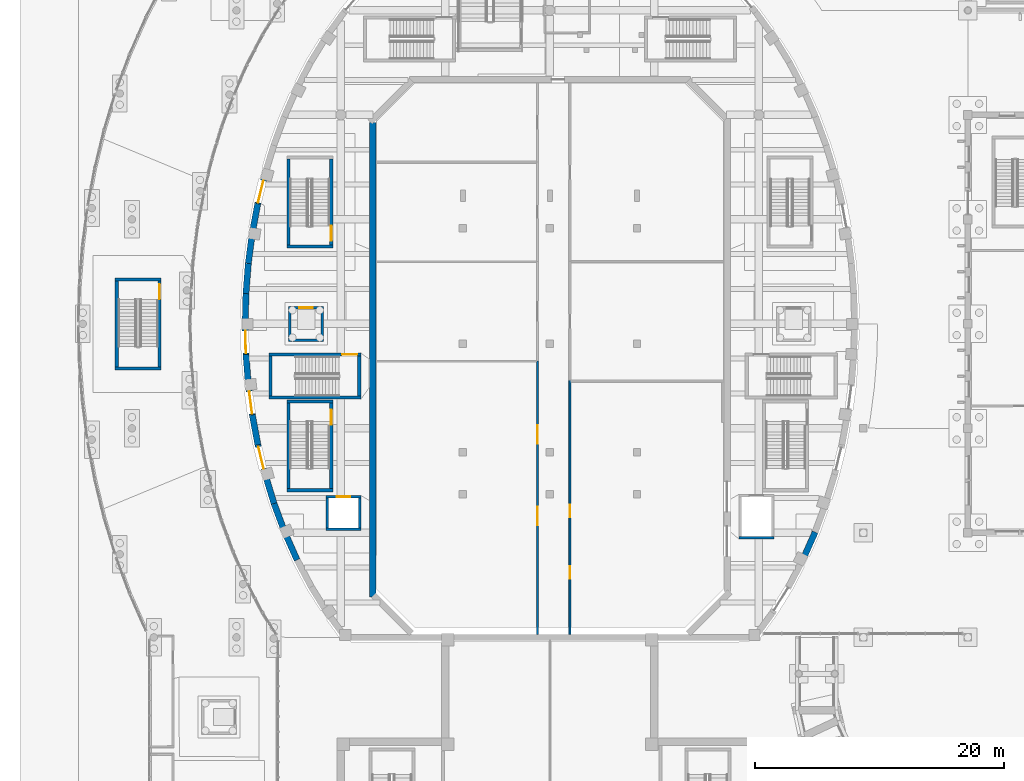
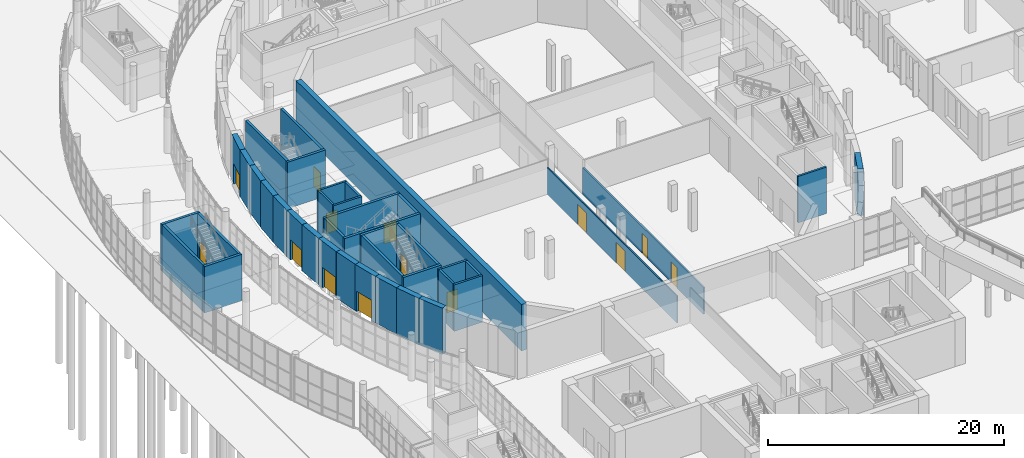
# One storey, part 62 of 110: 41 walls, 14 doors, 14 openings.
"""IFC4 building model written with IfcOpenShell, lengths in metres."""

import ifcopenshell
import ifcopenshell.guid

model = None  # the IFC model being written
_history = None  # IfcOwnerHistory: only IFC2X3 demands one
_inside = {}  # id of a spatial element -> (the spatial element, [elements in it])
_under = {}  # id of a project, library or spatial element -> (it, [spatial elements below it])
_declared = {}  # id of a project -> (the project, [libraries it declares])
_typed = {}  # id of a type object -> (the type object, [elements of that type])
_made_of = {}  # id of a material, layer set ... -> (it, [elements and type objects made of it])


def new_model(schema):
    """Start an empty IFC model of exactly this schema.

    Asked for "IFC4X3", IfcOpenShell would pick the latest addendum, in which some entities
    have other attributes; the version numbers below select the first issue.
    IFC2X3 requires an IfcOwnerHistory on every rooted entity: one is made here for all.
    """
    global model, _history
    if schema == "IFC4X3":
        model = ifcopenshell.file(schema_version=(4, 3, 0, 0))
    else:
        model = ifcopenshell.file(schema=schema)
    _inside.clear()
    _under.clear()
    _declared.clear()
    _typed.clear()
    _made_of.clear()
    _history = None
    if model.schema == "IFC2X3":
        org = make("IfcOrganization", Name="unknown")
        user = make(
            "IfcPersonAndOrganization",
            ThePerson=make("IfcPerson", FamilyName="unknown"),
            TheOrganization=org,
        )
        app = make(
            "IfcApplication",
            ApplicationDeveloper=org,
            Version="unknown",
            ApplicationFullName="unknown",
            ApplicationIdentifier="unknown",
        )
        _history = make(
            "IfcOwnerHistory",
            OwningUser=user,
            OwningApplication=app,
            ChangeAction="ADDED",
            CreationDate=0,
        )
    return model


def make(cls, **values):
    """One entity of the class cls with the attributes given. An attribute that is None is left unset."""
    return model.create_entity(
        cls, **{name: value for name, value in values.items() if value is not None}
    )


def rooted(cls, **values):
    """An entity with a GlobalId (a new one), such as an element, a storey or a relation."""
    return make(cls, GlobalId=ifcopenshell.guid.new(), OwnerHistory=_history, **values)


def si_unit(unit_type, name, prefix=None):
    """IfcSIUnit, for example si_unit("LENGTHUNIT", "METRE", prefix="MILLI")."""
    return make("IfcSIUnit", UnitType=unit_type, Prefix=prefix, Name=name)


def assignment(units):
    """IfcUnitAssignment: the units of a project."""
    return None if units is None else make("IfcUnitAssignment", Units=units)


def point(xyz):
    """IfcCartesianPoint."""
    return None if xyz is None else make("IfcCartesianPoint", Coordinates=xyz)


def direction(xyz):
    """IfcDirection."""
    return None if xyz is None else make("IfcDirection", DirectionRatios=xyz)


def frame(location, z_axis=None, x_axis=None):
    """IfcAxis2Placement3D, a coordinate frame: its origin and axes. An axis left out is left unset."""
    return make(
        "IfcAxis2Placement3D",
        Location=point(location),
        Axis=direction(z_axis),
        RefDirection=direction(x_axis),
    )


def frame_2d(location, x_axis=None):
    """IfcAxis2Placement2D, a coordinate frame in the plane: its origin and x axis."""
    return make(
        "IfcAxis2Placement2D", Location=point(location), RefDirection=direction(x_axis)
    )


def origin():
    """The frame at (0, 0, 0) with its axes left unset."""
    return frame((0.0, 0.0, 0.0))


def place(relative_to, where):
    """IfcLocalPlacement: puts the frame where relative to a parent placement (None: the world)."""
    return make(
        "IfcLocalPlacement", PlacementRelTo=relative_to, RelativePlacement=where
    )


def context(
    kind, dimensions, precision=None, world=None, true_north=None, identifier=None
):
    """IfcGeometricRepresentationContext, for example the 3D "Model" context."""
    return make(
        "IfcGeometricRepresentationContext",
        ContextIdentifier=identifier,
        ContextType=kind,
        CoordinateSpaceDimension=dimensions,
        Precision=precision,
        WorldCoordinateSystem=world,
        TrueNorth=true_north,
    )


def subcontext(parent, identifier, kind, view, scale=None):
    """IfcGeometricRepresentationSubContext, for example "Body" below "Model"."""
    return make(
        "IfcGeometricRepresentationSubContext",
        ContextIdentifier=identifier,
        ContextType=kind,
        ParentContext=parent,
        TargetScale=scale,
        TargetView=view,
    )


def project(units=None, contexts=None):
    """IfcProject with its units and contexts."""
    return rooted(
        "IfcProject",
        Name="project",
        RepresentationContexts=contexts,
        UnitsInContext=assignment(units),
    )


def spatial(cls, under=None, at=None, **own):
    """A site, building, storey or space (cls), placed at a placement, below another one or the project."""
    s = rooted(cls, ObjectPlacement=at, **own)
    if under is not None:
        _under.setdefault(under.id(), (under, []))[1].append(s)
    return s


def profile(cls, at=None, kind="AREA", **sizes):
    """A parametric profile (cls). Its sizes go by their IFC names, for example OverallWidth=200.0."""
    return make(cls, ProfileType=kind, Position=at, **sizes)


def rectangle(**sizes):
    """IfcRectangleProfileDef."""
    return profile("IfcRectangleProfileDef", **sizes)


def extrude(swept, where, along, depth):
    """IfcExtrudedAreaSolid: the profile swept, set in the frame where, extruded along a direction by depth."""
    return make(
        "IfcExtrudedAreaSolid",
        SweptArea=swept,
        Position=where,
        ExtrudedDirection=direction(along),
        Depth=depth,
    )


def shape(context_of_items, identifier, shape_type, items):
    """IfcShapeRepresentation: the items that make up one representation, for example the "Body"."""
    return make(
        "IfcShapeRepresentation",
        ContextOfItems=context_of_items,
        RepresentationIdentifier=identifier,
        RepresentationType=shape_type,
        Items=items,
    )


def material(Name=None, Category=None):
    """IfcMaterial."""
    return make("IfcMaterial", Name=Name, Category=Category)


def layer(
    of_material, thickness, ventilated=None, Name=None, Category=None, Priority=None
):
    """IfcMaterialLayer: one layer of a wall or slab, of a material (None: an air gap)."""
    return make(
        "IfcMaterialLayer",
        Material=of_material,
        LayerThickness=thickness,
        IsVentilated=ventilated,
        Name=Name,
        Category=Category,
        Priority=Priority,
    )


def layer_set(layers, Name=None):
    """IfcMaterialLayerSet."""
    return make("IfcMaterialLayerSet", MaterialLayers=layers, LayerSetName=Name)


def made_of(thing, what):
    """Note that an element or type object is made of a material, layer set ...; save() writes the relation."""
    if what is not None:
        _made_of.setdefault(what.id(), (what, []))[1].append(thing)
    return thing


def type_object(cls, material=None, **own):
    """A type object (cls), such as IfcWallType, which elements share."""
    return made_of(rooted(cls, **own), material)


def element(
    cls,
    number,
    at=None,
    inside=None,
    cuts=None,
    type_object=None,
    material=None,
    context=None,
    identifier="Body",
    shape_type=None,
    held_by="IfcProductDefinitionShape",
    body=None,
    shapes=None,
    **own,
):
    """One element of the class cls, such as IfcWall. Its Tag is "e" and its number.

    at: its placement. inside: the storey or other place that contains it. cuts: it is an
    opening in that element (IfcRelVoidsElement). A single representation is given by context,
    identifier, shape_type and body (its items); several are given by shapes. held_by: the class
    of the entity that holds the representations. save() writes the other relations.
    """
    e = rooted(cls, Tag="e%d" % number, ObjectPlacement=at, **own)
    if body is not None:
        shapes = [shape(context, identifier, shape_type, body)]
    if shapes is not None:
        e.Representation = make(held_by, Representations=shapes)
    if inside is not None:
        _inside.setdefault(inside.id(), (inside, []))[1].append(e)
    if cuts is not None:
        rooted(
            "IfcRelVoidsElement", RelatingBuildingElement=cuts, RelatedOpeningElement=e
        )
    if type_object is not None:
        _typed.setdefault(type_object.id(), (type_object, []))[1].append(e)
    return made_of(e, material)


def fill(opening, filler):
    """IfcRelFillsElement: the door or window that sits in an opening."""
    return rooted(
        "IfcRelFillsElement",
        RelatingOpeningElement=opening,
        RelatedBuildingElement=filler,
    )


def aggregate(whole, parts):
    """IfcRelAggregates: a whole, such as a stair, and the parts it consists of."""
    return rooted("IfcRelAggregates", RelatingObject=whole, RelatedObjects=parts)


def save(model, path):
    """Write the relations noted so far, then the file.

    IfcRelAggregates (storeys below a building ...), IfcRelContainedInSpatialStructure (elements
    in a storey), IfcRelDefinesByType, IfcRelAssociatesMaterial and IfcRelDeclares: one each for
    every whole, place, type object, material and project.
    """
    for whole, parts in _under.values():
        aggregate(whole, parts)
    for where, things in _inside.values():
        rooted(
            "IfcRelContainedInSpatialStructure",
            RelatedElements=things,
            RelatingStructure=where,
        )
    for kind, things in _typed.values():
        rooted("IfcRelDefinesByType", RelatedObjects=things, RelatingType=kind)
    for what, things in _made_of.values():
        rooted("IfcRelAssociatesMaterial", RelatedObjects=things, RelatingMaterial=what)
    for by, libraries in _declared.values():
        rooted("IfcRelDeclares", RelatingContext=by, RelatedDefinitions=libraries)
    model.write(path)


model = new_model("IFC4")

# Units and contexts
model_context = context("Model", 3, precision=1e-05, world=origin(), true_north=direction((0.0, 1.0)))
body_context = subcontext(model_context, "Body", "Model", "MODEL_VIEW")
ifc_project = project(units=[si_unit("LENGTHUNIT", "METRE"), si_unit("AREAUNIT", "SQUARE_METRE"), si_unit("VOLUMEUNIT", "CUBIC_METRE"), si_unit("PLANEANGLEUNIT", "RADIAN"), si_unit("MASSUNIT", "GRAM", prefix="KILO")], contexts=[model_context])

# Site, building, storey
site_placement = place(None, origin())
site = spatial("IfcSite", under=ifc_project, at=site_placement, CompositionType="ELEMENT")
building_placement = place(site_placement, origin())
building = spatial("IfcBuilding", under=site, at=building_placement, Name="Larchfold Concert Hall", CompositionType="ELEMENT")
storey_placement = place(building_placement, origin())
storey = spatial("IfcBuildingStorey", under=building, at=storey_placement, Name="L00", CompositionType="ELEMENT", Elevation=0.0)

# Wall, openings, doors
ifc_material_1 = material(Name="Plasterboard partition on steel studs", Category="steel")
ifc_layer_1 = layer(ifc_material_1, 0.125)
ifc_layer_set_1 = layer_set([ifc_layer_1], Name="Plasterboard partition on steel studs")
wall_type_1 = type_object("IfcWallType", Name="Corridor partition 125 EI 60", PredefinedType="PARTITIONING", material=ifc_layer_set_1)
wall_1_placement = place(storey_placement, frame((41.60009765625, 59.64990234375, 0.0), z_axis=(0.0, 0.0, 1.0), x_axis=(0.0, 1.0, 0.0)))
wall_1 = element("IfcWall", 1, at=wall_1_placement, inside=storey, type_object=wall_type_1, Name="Partition IW0004", PredefinedType="PARTITIONING", context=body_context, shape_type="SweptSolid", body=[
    extrude(rectangle(XDim=21.97021484375, YDim=0.125, at=frame_2d((10.985107421875, 0.0))), origin(), (0.0, 0.0, 1.0), 2.780029296875),
])
opening_1_placement = place(wall_1_placement, frame((8.75, 0.0, 0.0)))
opening_1 = element("IfcOpeningElement", 2, at=opening_1_placement, cuts=wall_1, Name="Opening D-L00-103", PredefinedType="OPENING", context=body_context, shape_type="SweptSolid", body=[
    extrude(rectangle(XDim=1.5, YDim=2.10009765625, at=frame_2d((0.75, 1.050048828125))), frame((0.0, 0.072509765625, 0.0), z_axis=(0.0, -1.0, 0.0), x_axis=(1.0, 0.0, 0.0)), (0.0, 0.0, 1.0), 0.14501953125),
])
opening_2_placement = place(wall_1_placement, frame((15.31005859375, 0.0, 0.0)))
opening_2 = element("IfcOpeningElement", 3, at=opening_2_placement, cuts=wall_1, Name="Opening D-L00-104", PredefinedType="OPENING", context=body_context, shape_type="SweptSolid", body=[
    extrude(rectangle(XDim=1.5, YDim=2.10009765625, at=frame_2d((0.75, 1.050048828125))), frame((0.0, 0.072509765625, 0.0), z_axis=(0.0, -1.0, 0.0), x_axis=(1.0, 0.0, 0.0)), (0.0, 0.0, 1.0), 0.14501953125),
])
ifc_material_2 = material(Name="Timber door leaf", Category="wood")
door_type_1 = type_object("IfcDoorType", Name="Cafe, shop and cloakroom door pair 1500 x 2100 FD30S", OperationType="SINGLE_SWING_LEFT", PredefinedType="DOOR", material=ifc_material_2)
door_1_placement = place(opening_1_placement, origin())
door_1 = element("IfcDoor", 4, at=door_1_placement, inside=storey, type_object=door_type_1, Name="Door D-L00-103", OperationType="DOUBLE_DOOR_SINGLE_SWING", OverallHeight=2.10009765625, OverallWidth=1.5, PredefinedType="DOOR", context=body_context, shape_type="SweptSolid", body=[
    extrude(rectangle(XDim=1.5, YDim=2.10009765625, at=frame_2d((0.75, 1.050048828125))), frame((0.0, 0.02490234375, 0.0), z_axis=(0.0, -1.0, 0.0), x_axis=(1.0, 0.0, 0.0)), (0.0, 0.0, 1.0), 0.050048828125),
])
fill(opening_1, door_1)
door_2_placement = place(opening_2_placement, origin())
door_2 = element("IfcDoor", 5, at=door_2_placement, inside=storey, type_object=door_type_1, Name="Door D-L00-104", OperationType="DOUBLE_DOOR_SINGLE_SWING", OverallHeight=2.10009765625, OverallWidth=1.5, PredefinedType="DOOR", context=body_context, shape_type="SweptSolid", body=[
    extrude(rectangle(XDim=1.5, YDim=2.10009765625, at=frame_2d((0.75, 1.050048828125))), frame((0.0, 0.02490234375, 0.0), z_axis=(0.0, -1.0, 0.0), x_axis=(1.0, 0.0, 0.0)), (0.0, 0.0, 1.0), 0.050048828125),
])
fill(opening_2, door_2)

ifc_material_3 = material(Name="Plasterboard partition on steel studs", Category="steel")
ifc_layer_2 = layer(ifc_material_3, 0.14990234375)
ifc_layer_set_2 = layer_set([ifc_layer_2], Name="Plasterboard partition on steel studs")
wall_type_2 = type_object("IfcWallType", Name="Shaft and plant partition 150 EI 120", PredefinedType="PARTITIONING", material=ifc_layer_set_2)
wall_2_placement = place(storey_placement, frame((44.199951171875, 59.64990234375, 0.0), z_axis=(0.0, 0.0, 1.0), x_axis=(0.0, 1.0, 0.0)))
wall_2 = element("IfcWall", 6, at=wall_2_placement, inside=storey, type_object=wall_type_2, Name="Partition IW0001", PredefinedType="PARTITIONING", context=body_context, shape_type="SweptSolid", body=[
    extrude(rectangle(XDim=20.425048828125, YDim=0.14990234375, at=frame_2d((10.21240234375, 0.0))), origin(), (0.0, 0.0, 1.0), 2.780029296875),
])
opening_3_placement = place(wall_2_placement, frame((9.409912109375, 0.0, 0.0)))
opening_3 = element("IfcOpeningElement", 7, at=opening_3_placement, cuts=wall_2, Name="Opening D-L00-100", PredefinedType="OPENING", context=body_context, shape_type="SweptSolid", body=[
    extrude(rectangle(XDim=1.0, YDim=2.10009765625, at=frame_2d((0.5, 1.050048828125))), frame((0.0, 0.0849609375, 0.0), z_axis=(0.0, -1.0, 0.0), x_axis=(1.0, 0.0, 0.0)), (0.0, 0.0, 1.0), 0.169921875),
])
opening_4_placement = place(wall_2_placement, frame((4.455078125, 0.0, 0.0)))
opening_4 = element("IfcOpeningElement", 8, at=opening_4_placement, cuts=wall_2, Name="Opening D-L00-101", PredefinedType="OPENING", context=body_context, shape_type="SweptSolid", body=[
    extrude(rectangle(XDim=1.0, YDim=2.10009765625, at=frame_2d((0.5, 1.050048828125))), frame((0.0, 0.0849609375, 0.0), z_axis=(0.0, -1.0, 0.0), x_axis=(1.0, 0.0, 0.0)), (0.0, 0.0, 1.0), 0.169921875),
])
ifc_material_4 = material(Name="Timber door leaf", Category="wood")
door_type_2 = type_object("IfcDoorType", Name="Plant room door 1000 x 2100 FD60", OperationType="SINGLE_SWING_LEFT", PredefinedType="DOOR", material=ifc_material_4)
door_3_placement = place(opening_3_placement, origin())
door_3 = element("IfcDoor", 9, at=door_3_placement, inside=storey, type_object=door_type_2, Name="Door D-L00-100", OperationType="SINGLE_SWING_RIGHT", OverallHeight=2.10009765625, OverallWidth=1.0, PredefinedType="DOOR", context=body_context, shape_type="SweptSolid", body=[
    extrude(rectangle(XDim=1.0, YDim=2.10009765625, at=frame_2d((0.5, 1.050048828125))), frame((0.0, 0.02490234375, 0.0), z_axis=(0.0, -1.0, 0.0), x_axis=(1.0, 0.0, 0.0)), (0.0, 0.0, 1.0), 0.050048828125),
])
fill(opening_3, door_3)
door_4_placement = place(opening_4_placement, origin())
door_4 = element("IfcDoor", 10, at=door_4_placement, inside=storey, type_object=door_type_2, Name="Door D-L00-101", OperationType="SINGLE_SWING_RIGHT", OverallHeight=2.10009765625, OverallWidth=1.0, PredefinedType="DOOR", context=body_context, shape_type="SweptSolid", body=[
    extrude(rectangle(XDim=1.0, YDim=2.10009765625, at=frame_2d((0.5, 1.050048828125))), frame((0.0, 0.02490234375, 0.0), z_axis=(0.0, -1.0, 0.0), x_axis=(1.0, 0.0, 0.0)), (0.0, 0.0, 1.0), 0.050048828125),
])
fill(opening_4, door_4)

# Walls
ifc_material_5 = material(Name="Concrete C40/50", Category="concrete")
ifc_layer_3 = layer(ifc_material_5, 0.199951171875)
ifc_layer_set_3 = layer_set([ifc_layer_3], Name="Concrete C40/50")
wall_type_3 = type_object("IfcWallType", Name="Wall RC 200 lift shaft", PredefinedType="SOLIDWALL", material=ifc_layer_set_3)
wall_3_placement = place(storey_placement, frame((57.800048828125, 67.400146484375, 0.0), z_axis=(0.0, 0.0, 1.0), x_axis=(1.0, 0.0, 0.0)))
element("IfcWall", 11, at=wall_3_placement, inside=storey, type_object=wall_type_3, Name="Wall W0141", PredefinedType="SOLIDWALL", context=body_context, shape_type="SweptSolid", body=[
    extrude(rectangle(XDim=2.800048828125, YDim=0.199951171875, at=frame_2d((1.39990234375, 0.0))), origin(), (0.0, 0.0, 1.0), 4.800048828125),
])
wall_4_placement = place(storey_placement, frame((24.60009765625, 68.10009765625, 0.0), z_axis=(0.0, 0.0, 1.0), x_axis=(1.0, 0.0, 0.0)))
element("IfcWall", 12, at=wall_4_placement, inside=storey, type_object=wall_type_3, Name="Wall W0145", PredefinedType="SOLIDWALL", context=body_context, shape_type="SweptSolid", body=[
    extrude(rectangle(XDim=2.7998046875, YDim=0.199951171875, at=frame_2d((1.39990234375, 0.0))), origin(), (0.0, 0.0, 1.0), 4.800048828125),
])

# Wall, opening, door
wall_5_placement = place(storey_placement, frame((24.60009765625, 70.699951171875, 0.0), z_axis=(0.0, 0.0, 1.0), x_axis=(1.0, 0.0, 0.0)))
wall_5 = element("IfcWall", 13, at=wall_5_placement, inside=storey, type_object=wall_type_3, Name="Wall W0146", PredefinedType="SOLIDWALL", context=body_context, shape_type="SweptSolid", body=[
    extrude(rectangle(XDim=2.7998046875, YDim=0.199951171875, at=frame_2d((1.39990234375, 0.0))), origin(), (0.0, 0.0, 1.0), 4.800048828125),
])
opening_5_placement = place(wall_5_placement, frame((0.849853515625, 0.0, 0.0)))
opening_5 = element("IfcOpeningElement", 14, at=opening_5_placement, cuts=wall_5, Name="Opening LD-LF02", PredefinedType="OPENING", context=body_context, shape_type="SweptSolid", body=[
    extrude(rectangle(XDim=1.10009765625, YDim=2.10009765625, at=frame_2d((0.550048828125, 1.050048828125))), frame((0.0, 0.10986328125, 0.0), z_axis=(0.0, -1.0, 0.0), x_axis=(1.0, 0.0, 0.0)), (0.0, 0.0, 1.0), 0.219970703125),
])
ifc_material_6 = material(Name="Stainless steel sliding leaves", Category="steel")
door_type_3 = type_object("IfcDoorType", Name="Lift landing door sliding 1100 x 2100", OperationType="SLIDING_TO_LEFT", PredefinedType="DOOR", material=ifc_material_6)
door_5_placement = place(opening_5_placement, origin())
door_5 = element("IfcDoor", 15, at=door_5_placement, inside=storey, type_object=door_type_3, Name="Lift landing door LF02", OperationType="SLIDING_TO_LEFT", OverallHeight=2.10009765625, OverallWidth=1.10009765625, PredefinedType="DOOR", context=body_context, shape_type="SweptSolid", body=[
    extrude(rectangle(XDim=1.10009765625, YDim=2.10009765625, at=frame_2d((0.550048828125, 1.050048828125))), frame((0.0, 0.02490234375, 0.0), z_axis=(0.0, -1.0, 0.0), x_axis=(1.0, 0.0, 0.0)), (0.0, 0.0, 1.0), 0.050048828125),
])
fill(opening_5, door_5)

# Walls
for number, where, z_axis, x_axis, name in (
    (16, (24.7001953125, 68.199951171875, 0.0), (0.0, 0.0, 1.0), (0.0, 1.0, 0.0), "Wall W0147"),
    (17, (27.2998046875, 68.199951171875, 0.0), (0.0, 0.0, 1.0), (0.0, 1.0, 0.0), "Wall W0148"),
):
    element("IfcWall", number, at=place(storey_placement, frame(where, z_axis=z_axis, x_axis=x_axis)), inside=storey, type_object=wall_type_3, Name=name, PredefinedType="SOLIDWALL", context=body_context, shape_type="SweptSolid", body=[
        extrude(rectangle(XDim=2.400146484375, YDim=0.199951171875, at=frame_2d((1.2001953125, 0.0))), origin(), (0.0, 0.0, 1.0), 4.800048828125),
    ])
wall_6_placement = place(storey_placement, frame((21.60009765625, 83.300048828125, -1.39990234375), z_axis=(0.0, 0.0, 1.0), x_axis=(1.0, 0.0, 0.0)))
element("IfcWall", 18, at=wall_6_placement, inside=storey, type_object=wall_type_3, Name="Wall W0153", PredefinedType="SOLIDWALL", context=body_context, shape_type="SweptSolid", body=[
    extrude(rectangle(XDim=2.7998046875, YDim=0.199951171875, at=frame_2d((1.39990234375, 0.0))), origin(), (0.0, 0.0, 1.0), 6.199951171875),
])

# Wall, opening, door
wall_7_placement = place(storey_placement, frame((21.60009765625, 85.89990234375, -1.39990234375), z_axis=(0.0, 0.0, 1.0), x_axis=(1.0, 0.0, 0.0)))
wall_7 = element("IfcWall", 19, at=wall_7_placement, inside=storey, type_object=wall_type_3, Name="Wall W0154", PredefinedType="SOLIDWALL", context=body_context, shape_type="SweptSolid", body=[
    extrude(rectangle(XDim=2.7998046875, YDim=0.199951171875, at=frame_2d((1.39990234375, 0.0))), origin(), (0.0, 0.0, 1.0), 6.199951171875),
])
opening_6_placement = place(wall_7_placement, frame((0.849853515625, 0.0, 1.39990234375)))
opening_6 = element("IfcOpeningElement", 20, at=opening_6_placement, cuts=wall_7, Name="Opening LD-LF04", PredefinedType="OPENING", context=body_context, shape_type="SweptSolid", body=[
    extrude(rectangle(XDim=1.10009765625, YDim=2.10009765625, at=frame_2d((0.550048828125, 1.050048828125))), frame((0.0, 0.10986328125, 0.0), z_axis=(0.0, -1.0, 0.0), x_axis=(1.0, 0.0, 0.0)), (0.0, 0.0, 1.0), 0.219970703125),
])
door_6_placement = place(opening_6_placement, origin())
door_6 = element("IfcDoor", 21, at=door_6_placement, inside=storey, type_object=door_type_3, Name="Lift landing door LF04", OperationType="SLIDING_TO_LEFT", OverallHeight=2.10009765625, OverallWidth=1.10009765625, PredefinedType="DOOR", context=body_context, shape_type="SweptSolid", body=[
    extrude(rectangle(XDim=1.10009765625, YDim=2.10009765625, at=frame_2d((0.550048828125, 1.050048828125))), frame((0.0, 0.02490234375, 0.0), z_axis=(0.0, -1.0, 0.0), x_axis=(1.0, 0.0, 0.0)), (0.0, 0.0, 1.0), 0.050048828125),
])
fill(opening_6, door_6)

# Walls
for number, where, z_axis, x_axis, name in (
    (22, (21.7001953125, 83.39990234375, -1.39990234375), (0.0, 0.0, 1.0), (0.0, 1.0, 0.0), "Wall W0155"),
    (23, (24.2998046875, 83.39990234375, -1.39990234375), (0.0, 0.0, 1.0), (0.0, 1.0, 0.0), "Wall W0156"),
):
    element("IfcWall", number, at=place(storey_placement, frame(where, z_axis=z_axis, x_axis=x_axis)), inside=storey, type_object=wall_type_3, Name=name, PredefinedType="SOLIDWALL", context=body_context, shape_type="SweptSolid", body=[
        extrude(rectangle(XDim=2.400146484375, YDim=0.199951171875, at=frame_2d((1.2001953125, 0.0))), origin(), (0.0, 0.0, 1.0), 6.199951171875),
    ])
ifc_material_7 = material(Name="Concrete C40/50", Category="concrete")
ifc_layer_4 = layer(ifc_material_7, 0.25)
ifc_layer_set_4 = layer_set([ifc_layer_4], Name="Concrete C40/50")
wall_type_4 = type_object("IfcWallType", Name="Wall RC 250 stair core", PredefinedType="SOLIDWALL", material=ifc_layer_set_4)
wall_8_placement = place(storey_placement, frame((21.449951171875, 90.824951171875, 0.0), z_axis=(0.0, 0.0, 1.0), x_axis=(1.0, 0.0, 0.0)))
element("IfcWall", 24, at=wall_8_placement, inside=storey, type_object=wall_type_4, Name="Wall W0045", PredefinedType="SOLIDWALL", context=body_context, shape_type="SweptSolid", body=[
    extrude(rectangle(XDim=3.699951171875, YDim=0.25, at=frame_2d((1.85009765625, 0.0))), origin(), (0.0, 0.0, 1.0), 4.800048828125),
])
wall_9_placement = place(storey_placement, frame((21.574951171875, 90.949951171875, 0.0), z_axis=(0.0, 0.0, 1.0), x_axis=(0.0, 1.0, 0.0)))
element("IfcWall", 25, at=wall_9_placement, inside=storey, type_object=wall_type_4, Name="Wall W0047", PredefinedType="SOLIDWALL", context=body_context, shape_type="SweptSolid", body=[
    extrude(rectangle(XDim=6.900146484375, YDim=0.25, at=frame_2d((3.4501953125, 0.0))), origin(), (0.0, 0.0, 1.0), 4.800048828125),
])

# Wall, opening, door
wall_10_placement = place(storey_placement, frame((25.02490234375, 90.949951171875, 0.0), z_axis=(0.0, 0.0, 1.0), x_axis=(0.0, 1.0, 0.0)))
wall_10 = element("IfcWall", 26, at=wall_10_placement, inside=storey, type_object=wall_type_4, Name="Wall W0048", PredefinedType="SOLIDWALL", context=body_context, shape_type="SweptSolid", body=[
    extrude(rectangle(XDim=6.900146484375, YDim=0.25, at=frame_2d((3.4501953125, 0.0))), origin(), (0.0, 0.0, 1.0), 4.800048828125),
])
opening_7_placement = place(wall_10_placement, frame((0.35009765625, 0.0, 0.0)))
opening_7 = element("IfcOpeningElement", 27, at=opening_7_placement, cuts=wall_10, Name="Opening D-L00-157", PredefinedType="OPENING", context=body_context, shape_type="SweptSolid", body=[
    extrude(rectangle(XDim=1.199951171875, YDim=2.10009765625, at=frame_2d((0.60009765625, 1.050048828125))), frame((0.0, 0.135009765625, 0.0), z_axis=(0.0, -1.0, 0.0), x_axis=(1.0, 0.0, 0.0)), (0.0, 0.0, 1.0), 0.27001953125),
])
ifc_material_8 = material(Name="Timber door leaf", Category="wood")
door_type_4 = type_object("IfcDoorType", Name="Stair enclosure door pair 1200 x 2100 FD60", OperationType="SINGLE_SWING_LEFT", PredefinedType="DOOR", material=ifc_material_8)
door_7_placement = place(opening_7_placement, origin())
door_7 = element("IfcDoor", 28, at=door_7_placement, inside=storey, type_object=door_type_4, Name="Door D-L00-157", OperationType="DOUBLE_DOOR_SINGLE_SWING", OverallHeight=2.10009765625, OverallWidth=1.199951171875, PredefinedType="DOOR", context=body_context, shape_type="SweptSolid", body=[
    extrude(rectangle(XDim=1.199951171875, YDim=2.10009765625, at=frame_2d((0.60009765625, 1.050048828125))), frame((0.0, 0.02490234375, 0.0), z_axis=(0.0, -1.0, 0.0), x_axis=(1.0, 0.0, 0.0)), (0.0, 0.0, 1.0), 0.050048828125),
])
fill(opening_7, door_7)

# Walls
for number, where, z_axis, x_axis, name in (
    (29, (21.449951171875, 71.22509765625, 0.0), (0.0, 0.0, 1.0), (1.0, 0.0, 0.0), "Wall W0049"),
    (30, (21.449951171875, 78.375, 0.0), (0.0, 0.0, 1.0), (1.0, 0.0, 0.0), "Wall W0050"),
):
    element("IfcWall", number, at=place(storey_placement, frame(where, z_axis=z_axis, x_axis=x_axis)), inside=storey, type_object=wall_type_4, Name=name, PredefinedType="SOLIDWALL", context=body_context, shape_type="SweptSolid", body=[
        extrude(rectangle(XDim=3.699951171875, YDim=0.25, at=frame_2d((1.85009765625, 0.0))), origin(), (0.0, 0.0, 1.0), 4.800048828125),
    ])
wall_11_placement = place(storey_placement, frame((21.574951171875, 71.35009765625, 0.0), z_axis=(0.0, 0.0, 1.0), x_axis=(0.0, 1.0, 0.0)))
element("IfcWall", 31, at=wall_11_placement, inside=storey, type_object=wall_type_4, Name="Wall W0051", PredefinedType="SOLIDWALL", context=body_context, shape_type="SweptSolid", body=[
    extrude(rectangle(XDim=6.89990234375, YDim=0.25, at=frame_2d((3.449951171875, 0.0))), origin(), (0.0, 0.0, 1.0), 4.800048828125),
])

# Wall, opening, door
wall_12_placement = place(storey_placement, frame((25.02490234375, 71.35009765625, 0.0), z_axis=(0.0, 0.0, 1.0), x_axis=(0.0, 1.0, 0.0)))
wall_12 = element("IfcWall", 32, at=wall_12_placement, inside=storey, type_object=wall_type_4, Name="Wall W0052", PredefinedType="SOLIDWALL", context=body_context, shape_type="SweptSolid", body=[
    extrude(rectangle(XDim=6.89990234375, YDim=0.25, at=frame_2d((3.449951171875, 0.0))), origin(), (0.0, 0.0, 1.0), 4.800048828125),
])
opening_8_placement = place(wall_12_placement, frame((5.14990234375, 0.0, 0.0)))
opening_8 = element("IfcOpeningElement", 33, at=opening_8_placement, cuts=wall_12, Name="Opening D-L00-153", PredefinedType="OPENING", context=body_context, shape_type="SweptSolid", body=[
    extrude(rectangle(XDim=1.199951171875, YDim=2.10009765625, at=frame_2d((0.60009765625, 1.050048828125))), frame((0.0, 0.135009765625, 0.0), z_axis=(0.0, -1.0, 0.0), x_axis=(1.0, 0.0, 0.0)), (0.0, 0.0, 1.0), 0.27001953125),
])
door_8_placement = place(opening_8_placement, origin())
door_8 = element("IfcDoor", 34, at=door_8_placement, inside=storey, type_object=door_type_4, Name="Door D-L00-153", OperationType="DOUBLE_DOOR_SINGLE_SWING", OverallHeight=2.10009765625, OverallWidth=1.199951171875, PredefinedType="DOOR", context=body_context, shape_type="SweptSolid", body=[
    extrude(rectangle(XDim=1.199951171875, YDim=2.10009765625, at=frame_2d((0.60009765625, 1.050048828125))), frame((0.0, 0.02490234375, 0.0), z_axis=(0.0, -1.0, 0.0), x_axis=(1.0, 0.0, 0.0)), (0.0, 0.0, 1.0), 0.050048828125),
])
fill(opening_8, door_8)

# Wall
wall_13_placement = place(storey_placement, frame((20.0, 78.675048828125, 0.0), z_axis=(0.0, 0.0, 1.0), x_axis=(1.0, 0.0, 0.0)))
element("IfcWall", 35, at=wall_13_placement, inside=storey, type_object=wall_type_4, Name="Wall W0057", PredefinedType="SOLIDWALL", context=body_context, shape_type="SweptSolid", body=[
    extrude(rectangle(XDim=7.39990234375, YDim=0.25, at=frame_2d((3.699951171875, 0.0))), origin(), (0.0, 0.0, 1.0), 4.800048828125),
])

# Wall, opening, door
wall_14_placement = place(storey_placement, frame((20.0, 82.125, 0.0), z_axis=(0.0, 0.0, 1.0), x_axis=(1.0, 0.0, 0.0)))
wall_14 = element("IfcWall", 36, at=wall_14_placement, inside=storey, type_object=wall_type_4, Name="Wall W0058", PredefinedType="SOLIDWALL", context=body_context, shape_type="SweptSolid", body=[
    extrude(rectangle(XDim=7.39990234375, YDim=0.25, at=frame_2d((3.699951171875, 0.0))), origin(), (0.0, 0.0, 1.0), 4.800048828125),
])
opening_9_placement = place(wall_14_placement, frame((5.89990234375, 0.0, 0.0)))
opening_9 = element("IfcOpeningElement", 37, at=opening_9_placement, cuts=wall_14, Name="Opening D-L00-155", PredefinedType="OPENING", context=body_context, shape_type="SweptSolid", body=[
    extrude(rectangle(XDim=1.199951171875, YDim=2.10009765625, at=frame_2d((0.60009765625, 1.050048828125))), frame((0.0, 0.135009765625, 0.0), z_axis=(0.0, -1.0, 0.0), x_axis=(1.0, 0.0, 0.0)), (0.0, 0.0, 1.0), 0.27001953125),
])
door_9_placement = place(opening_9_placement, origin())
door_9 = element("IfcDoor", 38, at=door_9_placement, inside=storey, type_object=door_type_4, Name="Door D-L00-155", OperationType="DOUBLE_DOOR_SINGLE_SWING", OverallHeight=2.10009765625, OverallWidth=1.199951171875, PredefinedType="DOOR", context=body_context, shape_type="SweptSolid", body=[
    extrude(rectangle(XDim=1.199951171875, YDim=2.10009765625, at=frame_2d((0.60009765625, 1.050048828125))), frame((0.0, 0.02490234375, 0.0), z_axis=(0.0, -1.0, 0.0), x_axis=(1.0, 0.0, 0.0)), (0.0, 0.0, 1.0), 0.050048828125),
])
fill(opening_9, door_9)

# Walls
for number, where, z_axis, x_axis, name in (
    (39, (20.125, 78.800048828125, 0.0), (0.0, 0.0, 1.0), (0.0, 1.0, 0.0), "Wall W0059"),
    (40, (27.27490234375, 78.800048828125, 0.0), (0.0, 0.0, 1.0), (0.0, 1.0, 0.0), "Wall W0060"),
):
    element("IfcWall", number, at=place(storey_placement, frame(where, z_axis=z_axis, x_axis=x_axis)), inside=storey, type_object=wall_type_4, Name=name, PredefinedType="SOLIDWALL", context=body_context, shape_type="SweptSolid", body=[
        extrude(rectangle(XDim=3.199951171875, YDim=0.25, at=frame_2d((1.60009765625, 0.0))), origin(), (0.0, 0.0, 1.0), 4.800048828125),
    ])
for number, where, z_axis, x_axis, name in (
    (41, (7.64990234375, 81.02490234375, 0.0), (0.0, 0.0, 1.0), (1.0, 0.0, 0.0), "Wall W0125"),
    (42, (7.64990234375, 88.175048828125, 0.0), (0.0, 0.0, 1.0), (1.0, 0.0, 0.0), "Wall W0126"),
):
    element("IfcWall", number, at=place(storey_placement, frame(where, z_axis=z_axis, x_axis=x_axis)), inside=storey, type_object=wall_type_4, Name=name, PredefinedType="SOLIDWALL", context=body_context, shape_type="SweptSolid", body=[
        extrude(rectangle(XDim=3.7001953125, YDim=0.25, at=frame_2d((1.85009765625, 0.0))), origin(), (0.0, 0.0, 1.0), 4.800048828125),
    ])
wall_15_placement = place(storey_placement, frame((7.77490234375, 81.14990234375, 0.0), z_axis=(0.0, 0.0, 1.0), x_axis=(0.0, 1.0, 0.0)))
element("IfcWall", 43, at=wall_15_placement, inside=storey, type_object=wall_type_4, Name="Wall W0127", PredefinedType="SOLIDWALL", context=body_context, shape_type="SweptSolid", body=[
    extrude(rectangle(XDim=6.900146484375, YDim=0.25, at=frame_2d((3.4501953125, 0.0))), origin(), (0.0, 0.0, 1.0), 4.800048828125),
])

# Wall, opening, door
wall_16_placement = place(storey_placement, frame((11.22509765625, 81.14990234375, 0.0), z_axis=(0.0, 0.0, 1.0), x_axis=(0.0, 1.0, 0.0)))
wall_16 = element("IfcWall", 44, at=wall_16_placement, inside=storey, type_object=wall_type_4, Name="Wall W0128", PredefinedType="SOLIDWALL", context=body_context, shape_type="SweptSolid", body=[
    extrude(rectangle(XDim=6.900146484375, YDim=0.25, at=frame_2d((3.4501953125, 0.0))), origin(), (0.0, 0.0, 1.0), 4.800048828125),
])
opening_10_placement = place(wall_16_placement, frame((5.449951171875, 0.0, 0.0)))
opening_10 = element("IfcOpeningElement", 45, at=opening_10_placement, cuts=wall_16, Name="Opening D-L00-177", PredefinedType="OPENING", context=body_context, shape_type="SweptSolid", body=[
    extrude(rectangle(XDim=1.199951171875, YDim=2.10009765625, at=frame_2d((0.60009765625, 1.050048828125))), frame((0.0, 0.135009765625, 0.0), z_axis=(0.0, -1.0, 0.0), x_axis=(1.0, 0.0, 0.0)), (0.0, 0.0, 1.0), 0.27001953125),
])
door_10_placement = place(opening_10_placement, origin())
door_10 = element("IfcDoor", 46, at=door_10_placement, inside=storey, type_object=door_type_4, Name="Door D-L00-177", OperationType="DOUBLE_DOOR_SINGLE_SWING", OverallHeight=2.10009765625, OverallWidth=1.199951171875, PredefinedType="DOOR", context=body_context, shape_type="SweptSolid", body=[
    extrude(rectangle(XDim=1.199951171875, YDim=2.10009765625, at=frame_2d((0.60009765625, 1.050048828125))), frame((0.0, 0.02490234375, 0.0), z_axis=(0.0, -1.0, 0.0), x_axis=(1.0, 0.0, 0.0)), (0.0, 0.0, 1.0), 0.050048828125),
])
fill(opening_10, door_10)

ifc_material_9 = material(Name="Concrete C30/37", Category="concrete")
ifc_layer_5 = layer(ifc_material_9, 0.5)
ifc_layer_set_5 = layer_set([ifc_layer_5], Name="Concrete C30/37")
wall_type_5 = type_object("IfcWallType", Name="Wall RC 500 drum facade", PredefinedType="SOLIDWALL", material=ifc_layer_set_5)
wall_17_placement = place(storey_placement, frame((19.685302734375, 96.63134765625, 0.0), z_axis=(0.0, 0.0, 1.0), x_axis=(-0.235921551206, -0.971772103776, 0.0)))
wall_17 = element("IfcWall", 47, at=wall_17_placement, inside=storey, type_object=wall_type_5, Name="Wall DW034", PredefinedType="SOLIDWALL", context=body_context, shape_type="SweptSolid", body=[
    extrude(rectangle(XDim=2.433837890625, YDim=0.5, at=frame_2d((1.216796875, 0.0))), origin(), (0.0, 0.0, 1.0), 4.800048828125),
])
opening_11_placement = place(wall_17_placement, frame((2.333984375, 0.0, 0.0), z_axis=(0.0, 0.0, 1.0), x_axis=(-1.0, 0.0, 0.0)))
opening_11 = element("IfcOpeningElement", 48, at=opening_11_placement, cuts=wall_17, Name="Opening D-L00-204", PredefinedType="OPENING", context=body_context, shape_type="SweptSolid", body=[
    extrude(rectangle(XDim=1.800048828125, YDim=2.10009765625, at=frame_2d((0.89990234375, 1.050048828125))), frame((0.0, 0.260009765625, 0.0), z_axis=(0.0, -1.0, 0.0), x_axis=(1.0, 0.0, 0.0)), (0.0, 0.0, 1.0), 0.52001953125),
])
ifc_material_10 = material(Name="Anodised graphite aluminium door leaf", Category="aluminium")
door_type_5 = type_object("IfcDoorType", Name="Exit door double 1800x2100", OperationType="DOUBLE_DOOR_SINGLE_SWING", PredefinedType="DOOR", material=ifc_material_10)
door_11_placement = place(opening_11_placement, origin())
door_11 = element("IfcDoor", 49, at=door_11_placement, inside=storey, type_object=door_type_5, Name="Door D-L00-204", OperationType="DOUBLE_DOOR_SINGLE_SWING", OverallHeight=2.10009765625, OverallWidth=1.800048828125, PredefinedType="DOOR", context=body_context, shape_type="SweptSolid", body=[
    extrude(rectangle(XDim=1.800048828125, YDim=2.10009765625, at=frame_2d((0.89990234375, 1.050048828125))), frame((0.0, 0.02490234375, 0.0), z_axis=(0.0, -1.0, 0.0), x_axis=(1.0, 0.0, 0.0)), (0.0, 0.0, 1.0), 0.050048828125),
])
fill(opening_11, door_11)

# Walls
for number, where, z_axis, x_axis, name in (
    (50, (19.111083984375, 94.26611328125, 0.0), (0.0, 0.0, 1.0), (-0.182362243365, -0.983231413348, 0.0), "Wall DW035"),
    (51, (18.667236328125, 91.873046875, 0.0), (0.0, 0.0, 1.0), (-0.129699392582, -0.991553360926, 0.0), "Wall DW036"),
    (52, (18.3515625, 89.459716796875, 0.0), (0.0, 0.0, 1.0), (-0.077540262419, -0.996989221458, 0.0), "Wall DW037"),
    (53, (18.162841796875, 87.033203125, 0.0), (0.0, 0.0, 1.0), (-0.025779107921, -0.999667663574, 0.0), "Wall DW038"),
):
    element("IfcWall", number, at=place(storey_placement, frame(where, z_axis=z_axis, x_axis=x_axis)), inside=storey, type_object=wall_type_5, Name=name, PredefinedType="SOLIDWALL", context=body_context, shape_type="SweptSolid", body=[
        extrude(rectangle(XDim=2.433837890625, YDim=0.5, at=frame_2d((1.216796875, 0.0))), origin(), (0.0, 0.0, 1.0), 4.800048828125),
    ])

# Wall, opening, door
wall_18_placement = place(storey_placement, frame((18.10009765625, 84.60009765625, 0.0), z_axis=(0.0, 0.0, 1.0), x_axis=(0.02591869307, -0.999664054245, 0.0)))
wall_18 = element("IfcWall", 54, at=wall_18_placement, inside=storey, type_object=wall_type_5, Name="Wall DW039", PredefinedType="SOLIDWALL", context=body_context, shape_type="SweptSolid", body=[
    extrude(rectangle(XDim=2.448974609375, YDim=0.5, at=frame_2d((1.224609375, 0.0))), origin(), (0.0, 0.0, 1.0), 4.800048828125),
])
opening_12_placement = place(wall_18_placement, frame((2.34912109375, 0.0, 0.0), z_axis=(0.0, 0.0, 1.0), x_axis=(-1.0, 0.0, 0.0)))
opening_12 = element("IfcOpeningElement", 55, at=opening_12_placement, cuts=wall_18, Name="Opening D-L00-239", PredefinedType="OPENING", context=body_context, shape_type="SweptSolid", body=[
    extrude(rectangle(XDim=1.800048828125, YDim=2.10009765625, at=frame_2d((0.89990234375, 1.050048828125))), frame((0.0, 0.260009765625, 0.0), z_axis=(0.0, -1.0, 0.0), x_axis=(1.0, 0.0, 0.0)), (0.0, 0.0, 1.0), 0.52001953125),
])
door_12_placement = place(opening_12_placement, origin())
door_12 = element("IfcDoor", 56, at=door_12_placement, inside=storey, type_object=door_type_5, Name="Door D-L00-239", OperationType="DOUBLE_DOOR_SINGLE_SWING", OverallHeight=2.10009765625, OverallWidth=1.800048828125, PredefinedType="DOOR", context=body_context, shape_type="SweptSolid", body=[
    extrude(rectangle(XDim=1.800048828125, YDim=2.10009765625, at=frame_2d((0.89990234375, 1.050048828125))), frame((0.0, 0.02490234375, 0.0), z_axis=(0.0, -1.0, 0.0), x_axis=(1.0, 0.0, 0.0)), (0.0, 0.0, 1.0), 0.050048828125),
])
fill(opening_12, door_12)

# Wall
wall_19_placement = place(storey_placement, frame((18.16357421875, 82.15185546875, 0.0), z_axis=(0.0, 0.0, 1.0), x_axis=(0.078053315948, -0.996949186202, 0.0)))
element("IfcWall", 57, at=wall_19_placement, inside=storey, type_object=wall_type_5, Name="Wall DW040", PredefinedType="SOLIDWALL", context=body_context, shape_type="SweptSolid", body=[
    extrude(rectangle(XDim=2.44921875, YDim=0.5, at=frame_2d((1.224609375, 0.0))), origin(), (0.0, 0.0, 1.0), 4.800048828125),
])

# Wall, opening, door
wall_20_placement = place(storey_placement, frame((18.354736328125, 79.710205078125, 0.0), z_axis=(0.0, 0.0, 1.0), x_axis=(0.130498353005, -0.991448526078, 0.0)))
wall_20 = element("IfcWall", 58, at=wall_20_placement, inside=storey, type_object=wall_type_5, Name="Wall DW041", PredefinedType="SOLIDWALL", context=body_context, shape_type="SweptSolid", body=[
    extrude(rectangle(XDim=2.448974609375, YDim=0.5, at=frame_2d((1.224609375, 0.0))), origin(), (0.0, 0.0, 1.0), 4.800048828125),
])
opening_13_placement = place(wall_20_placement, frame((2.348876953125, 0.0, 0.0), z_axis=(0.0, 0.0, 1.0), x_axis=(-1.0, 0.0, 0.0)))
opening_13 = element("IfcOpeningElement", 59, at=opening_13_placement, cuts=wall_20, Name="Opening D-L00-207", PredefinedType="OPENING", context=body_context, shape_type="SweptSolid", body=[
    extrude(rectangle(XDim=1.800048828125, YDim=2.10009765625, at=frame_2d((0.89990234375, 1.050048828125))), frame((0.0, 0.260009765625, 0.0), z_axis=(0.0, -1.0, 0.0), x_axis=(1.0, 0.0, 0.0)), (0.0, 0.0, 1.0), 0.52001953125),
])
door_13_placement = place(opening_13_placement, origin())
door_13 = element("IfcDoor", 60, at=door_13_placement, inside=storey, type_object=door_type_5, Name="Door D-L00-207", OperationType="DOUBLE_DOOR_SINGLE_SWING", OverallHeight=2.10009765625, OverallWidth=1.800048828125, PredefinedType="DOOR", context=body_context, shape_type="SweptSolid", body=[
    extrude(rectangle(XDim=1.800048828125, YDim=2.10009765625, at=frame_2d((0.89990234375, 1.050048828125))), frame((0.0, 0.02490234375, 0.0), z_axis=(0.0, -1.0, 0.0), x_axis=(1.0, 0.0, 0.0)), (0.0, 0.0, 1.0), 0.050048828125),
])
fill(opening_13, door_13)

# Wall
wall_21_placement = place(storey_placement, frame((18.67431640625, 77.2822265625, 0.0), z_axis=(0.0, 0.0, 1.0), x_axis=(0.183524085598, -0.983015213517, 0.0)))
element("IfcWall", 61, at=wall_21_placement, inside=storey, type_object=wall_type_5, Name="Wall DW042", PredefinedType="SOLIDWALL", context=body_context, shape_type="SweptSolid", body=[
    extrude(rectangle(XDim=2.448974609375, YDim=0.5, at=frame_2d((1.224609375, 0.0))), origin(), (0.0, 0.0, 1.0), 4.800048828125),
])

# Wall, opening, door
wall_22_placement = place(storey_placement, frame((19.123779296875, 74.874755859375, 0.0), z_axis=(0.0, 0.0, 1.0), x_axis=(0.237465633216, -0.971395940408, 0.0)))
wall_22 = element("IfcWall", 62, at=wall_22_placement, inside=storey, type_object=wall_type_5, Name="Wall DW043", PredefinedType="SOLIDWALL", context=body_context, shape_type="SweptSolid", body=[
    extrude(rectangle(XDim=2.448974609375, YDim=0.5, at=frame_2d((1.224609375, 0.0))), origin(), (0.0, 0.0, 1.0), 4.800048828125),
])
opening_14_placement = place(wall_22_placement, frame((1.96435546875, 0.0, 0.0), z_axis=(0.0, 0.0, 1.0), x_axis=(-1.0, 0.0, 0.0)))
opening_14 = element("IfcOpeningElement", 63, at=opening_14_placement, cuts=wall_22, Name="Opening D-L00-205", PredefinedType="OPENING", context=body_context, shape_type="SweptSolid", body=[
    extrude(rectangle(XDim=1.800048828125, YDim=2.10009765625, at=frame_2d((0.89990234375, 1.050048828125))), frame((0.0, 0.260009765625, 0.0), z_axis=(0.0, -1.0, 0.0), x_axis=(1.0, 0.0, 0.0)), (0.0, 0.0, 1.0), 0.52001953125),
])
door_14_placement = place(opening_14_placement, origin())
door_14 = element("IfcDoor", 64, at=door_14_placement, inside=storey, type_object=door_type_5, Name="Door D-L00-205", OperationType="DOUBLE_DOOR_SINGLE_SWING", OverallHeight=2.10009765625, OverallWidth=1.800048828125, PredefinedType="DOOR", context=body_context, shape_type="SweptSolid", body=[
    extrude(rectangle(XDim=1.800048828125, YDim=2.10009765625, at=frame_2d((0.89990234375, 1.050048828125))), frame((0.0, 0.02490234375, 0.0), z_axis=(0.0, -1.0, 0.0), x_axis=(1.0, 0.0, 0.0)), (0.0, 0.0, 1.0), 0.050048828125),
])
fill(opening_14, door_14)

# Walls
for number, where, z_axis, x_axis, name in (
    (65, (19.705322265625, 72.495849609375, 0.0), (0.0, 0.0, 1.0), (0.29250219685, -0.95626485078, 0.0), "Wall DW044"),
    (66, (20.421630859375, 70.154052734375, 0.0), (0.0, 0.0, 1.0), (0.348817204426, -0.937190779882, 0.0), "Wall DW045"),
):
    element("IfcWall", number, at=place(storey_placement, frame(where, z_axis=z_axis, x_axis=x_axis)), inside=storey, type_object=wall_type_5, Name=name, PredefinedType="SOLIDWALL", context=body_context, shape_type="SweptSolid", body=[
        extrude(rectangle(XDim=2.448974609375, YDim=0.5, at=frame_2d((1.224609375, 0.0))), origin(), (0.0, 0.0, 1.0), 4.800048828125),
    ])
for number, where, z_axis, x_axis, name in (
    (67, (21.27587890625, 67.85888671875, 0.0), (0.0, 0.0, 1.0), (0.406767391574, -0.913531766909, 0.0), "Wall DW046"),
    (68, (62.92822265625, 65.621826171875, 0.0), (0.0, 0.0, 1.0), (0.406767391574, 0.913531766909, 0.0), "Wall DW054"),
):
    element("IfcWall", number, at=place(storey_placement, frame(where, z_axis=z_axis, x_axis=x_axis)), inside=storey, type_object=wall_type_5, Name=name, PredefinedType="SOLIDWALL", context=body_context, shape_type="SweptSolid", body=[
        extrude(rectangle(XDim=2.44873046875, YDim=0.5, at=frame_2d((1.224365234375, 0.0))), origin(), (0.0, 0.0, 1.0), 4.800048828125),
    ])
ifc_material_11 = material(Name="Concrete C40/50", Category="concrete")
ifc_layer_6 = layer(ifc_material_11, 0.5)
ifc_layer_set_6 = layer_set([ifc_layer_6], Name="Concrete C40/50")
wall_type_6 = type_object("IfcWallType", Name="Wall RC 500 hall shell", PredefinedType="SOLIDWALL", material=ifc_layer_set_6)
wall_23_placement = place(storey_placement, frame((28.35009765625, 100.800048828125, 0.0), z_axis=(0.0, 0.0, 1.0), x_axis=(0.0, -1.0, 0.0)))
element("IfcWall", 69, at=wall_23_placement, inside=storey, type_object=wall_type_6, Name="Wall W0006", PredefinedType="SOLIDWALL", context=body_context, shape_type="SweptSolid", body=[
    extrude(rectangle(XDim=38.1513671875, YDim=0.5, at=frame_2d((19.07568359375, 0.0))), origin(), (0.0, 0.0, 1.0), 4.800048828125),
])

save(model, "model.ifc")
